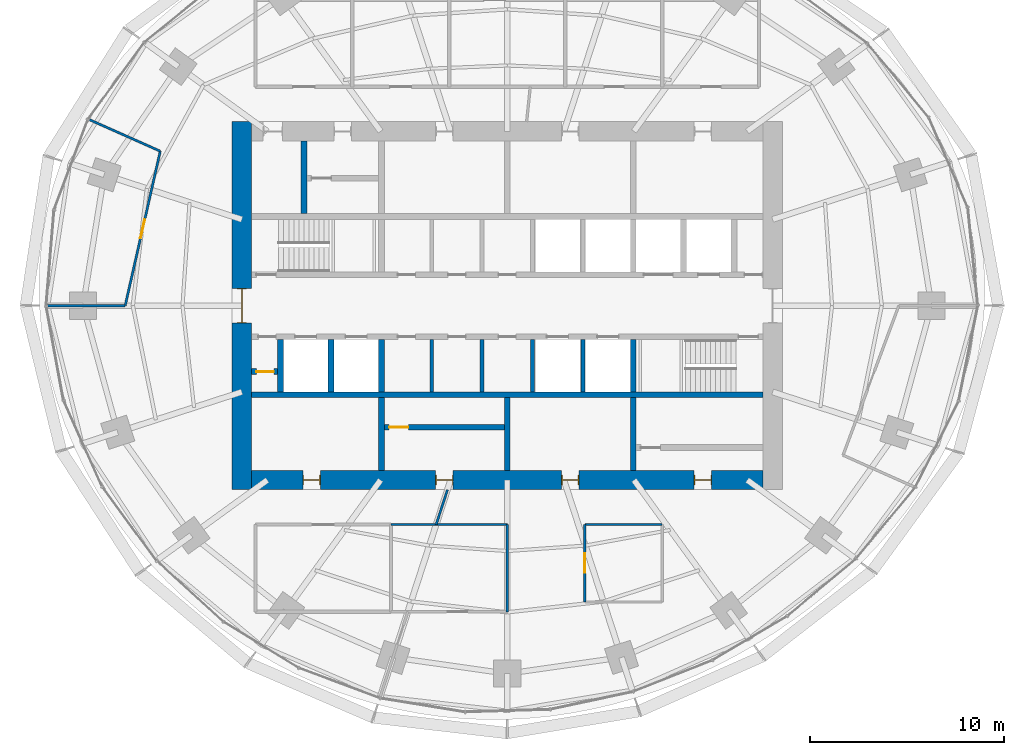
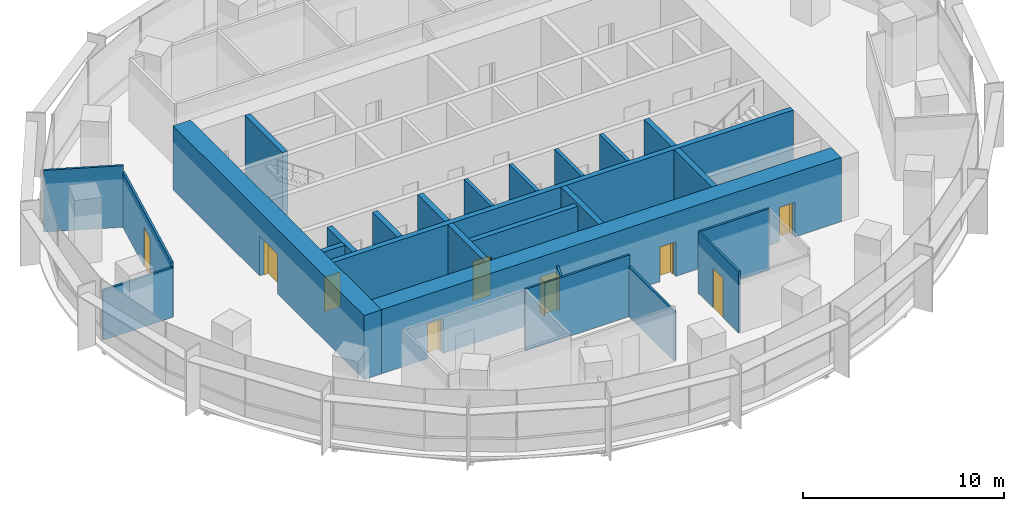
# One storey, part 10 of 14: 25 walls, 9 doors, 9 openings.
"""IFC4 building model written with IfcOpenShell, lengths in metres."""

from ifc_helpers import new_model, si_unit, direction, frame, frame_2d, origin, place, context, subcontext, project, spatial, rectangle, extrude, material, layer, layer_set, type_object, element, fill, save


model = new_model("IFC4")

# Units and contexts
model_context = context("Model", 3, precision=1e-05, world=origin(), true_north=direction((0.0, 1.0)))
body_context = subcontext(model_context, "Body", "Model", "MODEL_VIEW")
ifc_project = project(units=[si_unit("LENGTHUNIT", "METRE"), si_unit("AREAUNIT", "SQUARE_METRE"), si_unit("VOLUMEUNIT", "CUBIC_METRE"), si_unit("PLANEANGLEUNIT", "RADIAN"), si_unit("MASSUNIT", "GRAM", prefix="KILO")], contexts=[model_context])

# Site, building, storey
site_placement = place(None, origin())
site = spatial("IfcSite", under=ifc_project, at=site_placement, CompositionType="ELEMENT")
building_placement = place(site_placement, origin())
building = spatial("IfcBuilding", under=site, at=building_placement, Name="Marramba Exchange Tower", CompositionType="ELEMENT")
storey_placement = place(building_placement, frame((0.0, 0.0, 234.5)))
storey = spatial("IfcBuildingStorey", under=building, at=storey_placement, Name="L57", CompositionType="ELEMENT", Elevation=234.5)

# Walls
ifc_material_1 = material(Name="Concrete N50", Category="concrete")
ifc_layer_1 = layer(ifc_material_1, 0.199951171875)
ifc_layer_set_1 = layer_set([ifc_layer_1], Name="Core shaft wall 200")
wall_type_1 = type_object("IfcWallType", Name="Core shaft wall 200", PredefinedType="SHEAR", material=ifc_layer_set_1)
for number, where, z_axis, x_axis, name in (
    (1, (-3.89990234375, -1.75, 0.0), (0.0, 0.0, 1.0), (0.0, -1.0, 0.0), "Core wall SHS1 L57"),
    (2, (-1.300048828125, -1.75, 0.0), (0.0, 0.0, 1.0), (0.0, -1.0, 0.0), "Core wall SHS2 L57"),
    (3, (1.300048828125, -1.75, 0.0), (0.0, 0.0, 1.0), (0.0, -1.0, 0.0), "Core wall SHS3 L57"),
    (4, (3.89990234375, -1.75, 0.0), (0.0, 0.0, 1.0), (0.0, -1.0, 0.0), "Core wall SHS4 L57"),
):
    element("IfcWall", number, at=place(storey_placement, frame(where, z_axis=z_axis, x_axis=x_axis)), inside=storey, type_object=wall_type_1, Name=name, PredefinedType="SHEAR", context=body_context, shape_type="SweptSolid", body=[
        extrude(rectangle(XDim=2.699951171875, YDim=0.199951171875, at=frame_2d((1.35009765625, 0.0))), origin(), (0.0, 0.0, 1.0), 3.89990234375),
    ])

# Wall, openings, doors
ifc_layer_2 = layer(ifc_material_1, 1.0)
ifc_layer_set_2 = layer_set([ifc_layer_2], Name="Core wall 1000")
wall_type_2 = type_object("IfcWallType", Name="Core wall 1000", PredefinedType="SHEAR", material=ifc_layer_set_2)
wall_1_placement = place(storey_placement, frame((-13.199951171875, -9.0, 0.0), z_axis=(0.0, 0.0, 1.0), x_axis=(1.0, 0.0, 0.0)))
wall_1 = element("IfcWall", 5, at=wall_1_placement, inside=storey, type_object=wall_type_2, Name="Core wall S L57", PredefinedType="SHEAR", context=body_context, shape_type="SweptSolid", body=[
    extrude(rectangle(XDim=26.39990234375, YDim=1.0, at=frame_2d((13.199951171875, 0.0))), origin(), (0.0, 0.0, 1.0), 3.89990234375),
])
opening_1_placement = place(wall_1_placement, frame((2.64990234375, 0.0, 0.0)))
opening_1 = element("IfcOpeningElement", 6, at=opening_1_placement, cuts=wall_1, Name="Opening D5", PredefinedType="OPENING", context=body_context, shape_type="SweptSolid", body=[
    extrude(rectangle(XDim=0.89990234375, YDim=2.10009765625, at=frame_2d((0.449951171875, 1.050048828125))), frame((0.0, 0.510009765625, 0.0), z_axis=(0.0, -1.0, 0.0), x_axis=(1.0, 0.0, 0.0)), (0.0, 0.0, 1.0), 1.02001953125),
])
opening_2_placement = place(wall_1_placement, frame((9.5, 0.0, 0.0)))
opening_2 = element("IfcOpeningElement", 7, at=opening_2_placement, cuts=wall_1, Name="Opening D5", PredefinedType="OPENING", context=body_context, shape_type="SweptSolid", body=[
    extrude(rectangle(XDim=0.89990234375, YDim=2.10009765625, at=frame_2d((0.449951171875, 1.050048828125))), frame((0.0, 0.510009765625, 0.0), z_axis=(0.0, -1.0, 0.0), x_axis=(1.0, 0.0, 0.0)), (0.0, 0.0, 1.0), 1.02001953125),
])
opening_3_placement = place(wall_1_placement, frame((16.0, 0.0, 0.0)))
opening_3 = element("IfcOpeningElement", 8, at=opening_3_placement, cuts=wall_1, Name="Opening D5", PredefinedType="OPENING", context=body_context, shape_type="SweptSolid", body=[
    extrude(rectangle(XDim=0.89990234375, YDim=2.10009765625, at=frame_2d((0.449951171875, 1.050048828125))), frame((0.0, 0.510009765625, 0.0), z_axis=(0.0, -1.0, 0.0), x_axis=(1.0, 0.0, 0.0)), (0.0, 0.0, 1.0), 1.02001953125),
])
opening_4_placement = place(wall_1_placement, frame((22.85009765625, 0.0, 0.0)))
opening_4 = element("IfcOpeningElement", 9, at=opening_4_placement, cuts=wall_1, Name="Opening D5", PredefinedType="OPENING", context=body_context, shape_type="SweptSolid", body=[
    extrude(rectangle(XDim=0.89990234375, YDim=2.10009765625, at=frame_2d((0.449951171875, 1.050048828125))), frame((0.0, 0.510009765625, 0.0), z_axis=(0.0, -1.0, 0.0), x_axis=(1.0, 0.0, 0.0)), (0.0, 0.0, 1.0), 1.02001953125),
])
ifc_material_2 = material(Name="Steel-framed door", Category="steel")
door_type_1 = type_object("IfcDoorType", Name="Service door 900x2100", OperationType="SINGLE_SWING_LEFT", PredefinedType="DOOR", material=ifc_material_2)
door_1_placement = place(opening_1_placement, origin())
door_1 = element("IfcDoor", 10, at=door_1_placement, inside=storey, type_object=door_type_1, Name="D5 ahu L57", OperationType="SINGLE_SWING_LEFT", OverallHeight=2.10009765625, OverallWidth=0.89990234375, PredefinedType="DOOR", context=body_context, shape_type="SweptSolid", body=[
    extrude(rectangle(XDim=0.81982421875, YDim=2.06005859375, at=frame_2d((0.449951171875, 1.030029296875))), frame((0.0, 0.02490234375, 0.0), z_axis=(0.0, -1.0, 0.0), x_axis=(1.0, 0.0, 0.0)), (0.0, 0.0, 1.0), 0.050048828125),
    extrude(rectangle(XDim=0.04, YDim=2.10009765625, at=frame_2d((0.02001953125, 1.050048828125))), frame((0.0, 0.25, 0.0), z_axis=(0.0, -1.0, 0.0), x_axis=(1.0, 0.0, 0.0)), (0.0, 0.0, 1.0), 0.5),
    extrude(rectangle(XDim=0.04, YDim=2.10009765625, at=frame_2d((0.8798828125, 1.050048828125))), frame((0.0, 0.25, 0.0), z_axis=(0.0, -1.0, 0.0), x_axis=(1.0, 0.0, 0.0)), (0.0, 0.0, 1.0), 0.5),
    extrude(rectangle(XDim=0.81982421875, YDim=0.04, at=frame_2d((0.449951171875, 2.080078125))), frame((0.0, 0.25, 0.0), z_axis=(0.0, -1.0, 0.0), x_axis=(1.0, 0.0, 0.0)), (0.0, 0.0, 1.0), 0.5),
])
fill(opening_1, door_1)
door_2_placement = place(opening_2_placement, origin())
door_2 = element("IfcDoor", 11, at=door_2_placement, inside=storey, type_object=door_type_1, Name="D5 store L57", OperationType="SINGLE_SWING_RIGHT", OverallHeight=2.10009765625, OverallWidth=0.89990234375, PredefinedType="DOOR", context=body_context, shape_type="SweptSolid", body=[
    extrude(rectangle(XDim=0.81982421875, YDim=2.06005859375, at=frame_2d((0.449951171875, 1.030029296875))), frame((0.0, 0.02490234375, 0.0), z_axis=(0.0, -1.0, 0.0), x_axis=(1.0, 0.0, 0.0)), (0.0, 0.0, 1.0), 0.050048828125),
    extrude(rectangle(XDim=0.04, YDim=2.10009765625, at=frame_2d((0.02001953125, 1.050048828125))), frame((0.0, 0.25, 0.0), z_axis=(0.0, -1.0, 0.0), x_axis=(1.0, 0.0, 0.0)), (0.0, 0.0, 1.0), 0.5),
    extrude(rectangle(XDim=0.04, YDim=2.10009765625, at=frame_2d((0.8798828125, 1.050048828125))), frame((0.0, 0.25, 0.0), z_axis=(0.0, -1.0, 0.0), x_axis=(1.0, 0.0, 0.0)), (0.0, 0.0, 1.0), 0.5),
    extrude(rectangle(XDim=0.81982421875, YDim=0.04, at=frame_2d((0.449951171875, 2.080078125))), frame((0.0, 0.25, 0.0), z_axis=(0.0, -1.0, 0.0), x_axis=(1.0, 0.0, 0.0)), (0.0, 0.0, 1.0), 0.5),
])
fill(opening_2, door_2)
door_3_placement = place(opening_3_placement, origin())
door_3 = element("IfcDoor", 12, at=door_3_placement, inside=storey, type_object=door_type_1, Name="D5 switch L57", OperationType="SINGLE_SWING_RIGHT", OverallHeight=2.10009765625, OverallWidth=0.89990234375, PredefinedType="DOOR", context=body_context, shape_type="SweptSolid", body=[
    extrude(rectangle(XDim=0.81982421875, YDim=2.06005859375, at=frame_2d((0.449951171875, 1.030029296875))), frame((0.0, 0.02490234375, 0.0), z_axis=(0.0, -1.0, 0.0), x_axis=(1.0, 0.0, 0.0)), (0.0, 0.0, 1.0), 0.050048828125),
    extrude(rectangle(XDim=0.04, YDim=2.10009765625, at=frame_2d((0.02001953125, 1.050048828125))), frame((0.0, 0.25, 0.0), z_axis=(0.0, -1.0, 0.0), x_axis=(1.0, 0.0, 0.0)), (0.0, 0.0, 1.0), 0.5),
    extrude(rectangle(XDim=0.04, YDim=2.10009765625, at=frame_2d((0.8798828125, 1.050048828125))), frame((0.0, 0.25, 0.0), z_axis=(0.0, -1.0, 0.0), x_axis=(1.0, 0.0, 0.0)), (0.0, 0.0, 1.0), 0.5),
    extrude(rectangle(XDim=0.81982421875, YDim=0.04, at=frame_2d((0.449951171875, 2.080078125))), frame((0.0, 0.25, 0.0), z_axis=(0.0, -1.0, 0.0), x_axis=(1.0, 0.0, 0.0)), (0.0, 0.0, 1.0), 0.5),
])
fill(opening_3, door_3)
door_4_placement = place(opening_4_placement, origin())
door_4 = element("IfcDoor", 13, at=door_4_placement, inside=storey, type_object=door_type_1, Name="D5 cstore L57", OperationType="SINGLE_SWING_RIGHT", OverallHeight=2.10009765625, OverallWidth=0.89990234375, PredefinedType="DOOR", context=body_context, shape_type="SweptSolid", body=[
    extrude(rectangle(XDim=0.81982421875, YDim=2.06005859375, at=frame_2d((0.449951171875, 1.030029296875))), frame((0.0, 0.02490234375, 0.0), z_axis=(0.0, -1.0, 0.0), x_axis=(1.0, 0.0, 0.0)), (0.0, 0.0, 1.0), 0.050048828125),
    extrude(rectangle(XDim=0.04, YDim=2.10009765625, at=frame_2d((0.02001953125, 1.050048828125))), frame((0.0, 0.25, 0.0), z_axis=(0.0, -1.0, 0.0), x_axis=(1.0, 0.0, 0.0)), (0.0, 0.0, 1.0), 0.5),
    extrude(rectangle(XDim=0.04, YDim=2.10009765625, at=frame_2d((0.8798828125, 1.050048828125))), frame((0.0, 0.25, 0.0), z_axis=(0.0, -1.0, 0.0), x_axis=(1.0, 0.0, 0.0)), (0.0, 0.0, 1.0), 0.5),
    extrude(rectangle(XDim=0.81982421875, YDim=0.04, at=frame_2d((0.449951171875, 2.080078125))), frame((0.0, 0.25, 0.0), z_axis=(0.0, -1.0, 0.0), x_axis=(1.0, 0.0, 0.0)), (0.0, 0.0, 1.0), 0.5),
])
fill(opening_4, door_4)

# Wall, opening, door
wall_2_placement = place(storey_placement, frame((-13.699951171875, 9.5, 0.0), z_axis=(0.0, 0.0, 1.0), x_axis=(0.0, -1.0, 0.0)))
wall_2 = element("IfcWall", 14, at=wall_2_placement, inside=storey, type_object=wall_type_2, Name="Core wall W L57", PredefinedType="SHEAR", context=body_context, shape_type="SweptSolid", body=[
    extrude(rectangle(XDim=19.0, YDim=1.0, at=frame_2d((9.5, 0.0))), origin(), (0.0, 0.0, 1.0), 3.89990234375),
])
opening_5_placement = place(wall_2_placement, frame((8.60009765625, 0.0, 0.0)))
opening_5 = element("IfcOpeningElement", 15, at=opening_5_placement, cuts=wall_2, Name="Opening D1", PredefinedType="OPENING", context=body_context, shape_type="SweptSolid", body=[
    extrude(rectangle(XDim=1.800048828125, YDim=2.39990234375, at=frame_2d((0.89990234375, 1.199951171875))), frame((0.0, 0.510009765625, 0.0), z_axis=(0.0, -1.0, 0.0), x_axis=(1.0, 0.0, 0.0)), (0.0, 0.0, 1.0), 1.02001953125),
])
door_type_2 = type_object("IfcDoorType", Name="Lobby exit door 1800x2400", OperationType="DOUBLE_DOOR_SINGLE_SWING", PredefinedType="DOOR", material=ifc_material_2)
door_5_placement = place(opening_5_placement, origin())
door_5 = element("IfcDoor", 16, at=door_5_placement, inside=storey, type_object=door_type_2, Name="D1 lobby exit west L57", OperationType="DOUBLE_DOOR_SINGLE_SWING", OverallHeight=2.39990234375, OverallWidth=1.800048828125, PredefinedType="DOOR", context=body_context, shape_type="SweptSolid", body=[
    extrude(rectangle(XDim=1.719970703125, YDim=2.35986328125, at=frame_2d((0.89990234375, 1.179931640625))), frame((0.0, 0.02490234375, 0.0), z_axis=(0.0, -1.0, 0.0), x_axis=(1.0, 0.0, 0.0)), (0.0, 0.0, 1.0), 0.050048828125),
    extrude(rectangle(XDim=0.04, YDim=2.39990234375, at=frame_2d((0.02001953125, 1.199951171875))), frame((0.0, 0.25, 0.0), z_axis=(0.0, -1.0, 0.0), x_axis=(1.0, 0.0, 0.0)), (0.0, 0.0, 1.0), 0.5),
    extrude(rectangle(XDim=0.04, YDim=2.39990234375, at=frame_2d((1.780029296875, 1.199951171875))), frame((0.0, 0.25, 0.0), z_axis=(0.0, -1.0, 0.0), x_axis=(1.0, 0.0, 0.0)), (0.0, 0.0, 1.0), 0.5),
    extrude(rectangle(XDim=1.719970703125, YDim=0.04, at=frame_2d((0.89990234375, 2.3798828125))), frame((0.0, 0.25, 0.0), z_axis=(0.0, -1.0, 0.0), x_axis=(1.0, 0.0, 0.0)), (0.0, 0.0, 1.0), 0.5),
])
fill(opening_5, door_5)

# Walls
ifc_layer_3 = layer(ifc_material_1, 0.300048828125)
ifc_layer_set_3 = layer_set([ifc_layer_3], Name="Core wall 300")
wall_type_3 = type_object("IfcWallType", Name="Core wall 300", PredefinedType="SHEAR", material=ifc_layer_set_3)
wall_3_placement = place(storey_placement, frame((-13.199951171875, -4.60009765625, 0.0), z_axis=(0.0, 0.0, 1.0), x_axis=(1.0, 0.0, 0.0)))
element("IfcWall", 17, at=wall_3_placement, inside=storey, type_object=wall_type_3, Name="Core wall BS L57", PredefinedType="SHEAR", context=body_context, shape_type="SweptSolid", body=[
    extrude(rectangle(XDim=26.39990234375, YDim=0.300048828125, at=frame_2d((13.199951171875, 0.0))), origin(), (0.0, 0.0, 1.0), 3.89990234375),
])
wall_4_placement = place(storey_placement, frame((-6.5, -1.75, 0.0), z_axis=(0.0, 0.0, 1.0), x_axis=(0.0, -1.0, 0.0)))
element("IfcWall", 18, at=wall_4_placement, inside=storey, type_object=wall_type_3, Name="Core wall X0Sa L57", PredefinedType="SHEAR", context=body_context, shape_type="SweptSolid", body=[
    extrude(rectangle(XDim=2.699951171875, YDim=0.300048828125, at=frame_2d((1.35009765625, 0.0))), origin(), (0.0, 0.0, 1.0), 3.89990234375),
])
wall_5_placement = place(storey_placement, frame((-6.5, -4.75, 0.0), z_axis=(0.0, 0.0, 1.0), x_axis=(0.0, -1.0, 0.0)))
element("IfcWall", 19, at=wall_5_placement, inside=storey, type_object=wall_type_3, Name="Core wall X0Sb L57", PredefinedType="SHEAR", context=body_context, shape_type="SweptSolid", body=[
    extrude(rectangle(XDim=3.75, YDim=0.300048828125, at=frame_2d((1.875, 0.0))), origin(), (0.0, 0.0, 1.0), 3.89990234375),
])
wall_6_placement = place(storey_placement, frame((6.5, -1.75, 0.0), z_axis=(0.0, 0.0, 1.0), x_axis=(0.0, -1.0, 0.0)))
element("IfcWall", 20, at=wall_6_placement, inside=storey, type_object=wall_type_3, Name="Core wall X1Sa L57", PredefinedType="SHEAR", context=body_context, shape_type="SweptSolid", body=[
    extrude(rectangle(XDim=2.699951171875, YDim=0.300048828125, at=frame_2d((1.35009765625, 0.0))), origin(), (0.0, 0.0, 1.0), 3.89990234375),
])
for number, where, z_axis, x_axis, name in (
    (21, (6.5, -4.75, 0.0), (0.0, 0.0, 1.0), (0.0, -1.0, 0.0), "Core wall X1Sb L57"),
    (22, (0.0, -4.75, 0.0), (0.0, 0.0, 1.0), (0.0, -1.0, 0.0), "Core wall MS L57"),
    (23, (-10.5, 4.75, 0.0), (0.0, 0.0, 1.0), (0.0, 1.0, 0.0), "Core wall WD L57"),
):
    element("IfcWall", number, at=place(storey_placement, frame(where, z_axis=z_axis, x_axis=x_axis)), inside=storey, type_object=wall_type_3, Name=name, PredefinedType="SHEAR", context=body_context, shape_type="SweptSolid", body=[
        extrude(rectangle(XDim=3.75, YDim=0.300048828125, at=frame_2d((1.875, 0.0))), origin(), (0.0, 0.0, 1.0), 3.89990234375),
    ])
ifc_material_3 = material(Name="Core-filled concrete blockwork", Category="masonry")
ifc_layer_4 = layer(ifc_material_3, 0.300048828125)
ifc_layer_set_4 = layer_set([ifc_layer_4], Name="Lift shaft wall 300")
wall_type_4 = type_object("IfcWallType", Name="Lift shaft wall 300", PredefinedType="SOLIDWALL", material=ifc_layer_set_4)
for number, where, z_axis, x_axis, name in (
    (24, (-9.10009765625, -1.75, 0.0), (0.0, 0.0, 1.0), (0.0, -1.0, 0.0), "Lift shaft wall W1 L57"),
    (25, (-11.699951171875, -1.75, 0.0), (0.0, 0.0, 1.0), (0.0, -1.0, 0.0), "Lift shaft wall W2 L57"),
):
    element("IfcWall", number, at=place(storey_placement, frame(where, z_axis=z_axis, x_axis=x_axis)), inside=storey, type_object=wall_type_4, Name=name, PredefinedType="SOLIDWALL", context=body_context, shape_type="SweptSolid", body=[
        extrude(rectangle(XDim=2.699951171875, YDim=0.300048828125, at=frame_2d((1.35009765625, 0.0))), origin(), (0.0, 0.0, 1.0), 3.739990234375),
    ])
ifc_material_4 = material(Name="Plasterboard on steel studs", Category="steel")
ifc_layer_5 = layer(ifc_material_4, 0.1201171875)
ifc_layer_set_5 = layer_set([ifc_layer_5], Name="Partition 120")
wall_type_5 = type_object("IfcWallType", Name="Partition 120", PredefinedType="PARTITIONING", material=ifc_layer_set_5)
wall_7_placement = place(storey_placement, frame((-3.671630859375, -11.300048828125, 0.0), z_axis=(0.0, 0.0, 1.0), x_axis=(0.309059822154, 0.95104259964, 0.0)))
element("IfcWall", 26, at=wall_7_placement, inside=storey, type_object=wall_type_5, Name="Partition L57 06", PredefinedType="PARTITIONING", context=body_context, shape_type="SweptSolid", body=[
    extrude(rectangle(XDim=1.892822265625, YDim=0.1201171875, at=frame_2d((0.9462890625, 0.0))), origin(), (0.0, 0.0, 1.0), 3.0400390625),
])
wall_8_placement = place(storey_placement, frame((0.0, -11.300048828125, 0.0), z_axis=(0.0, 0.0, 1.0), x_axis=(-1.0, 0.0, 0.0)))
element("IfcWall", 27, at=wall_8_placement, inside=storey, type_object=wall_type_5, Name="Partition L57 07", PredefinedType="PARTITIONING", context=body_context, shape_type="SweptSolid", body=[
    extrude(rectangle(XDim=6.0, YDim=0.1201171875, at=frame_2d((3.0, 0.0))), origin(), (0.0, 0.0, 1.0), 3.739990234375),
])
wall_9_placement = place(storey_placement, frame((0.0, -15.800048828125, 0.0), z_axis=(0.0, 0.0, 1.0), x_axis=(0.0, 1.0, 0.0)))
element("IfcWall", 28, at=wall_9_placement, inside=storey, type_object=wall_type_5, Name="Partition L57 09", PredefinedType="PARTITIONING", context=body_context, shape_type="SweptSolid", body=[
    extrude(rectangle(XDim=4.5, YDim=0.1201171875, at=frame_2d((2.25, 0.0))), origin(), (0.0, 0.0, 1.0), 3.0400390625),
])

# Wall, opening, door
wall_10_placement = place(storey_placement, frame((4.0, -15.300048828125, 0.0), z_axis=(0.0, 0.0, 1.0), x_axis=(0.0, 1.0, 0.0)))
wall_10 = element("IfcWall", 29, at=wall_10_placement, inside=storey, type_object=wall_type_5, Name="Partition L57 10", PredefinedType="PARTITIONING", context=body_context, shape_type="SweptSolid", body=[
    extrude(rectangle(XDim=4.0, YDim=0.1201171875, at=frame_2d((2.0, 0.0))), origin(), (0.0, 0.0, 1.0), 3.739990234375),
])
opening_6_placement = place(wall_10_placement, frame((1.52587890625, 0.0, 0.0)))
opening_6 = element("IfcOpeningElement", 30, at=opening_6_placement, cuts=wall_10, Name="Opening D9", PredefinedType="OPENING", context=body_context, shape_type="SweptSolid", body=[
    extrude(rectangle(XDim=1.0, YDim=2.39990234375, at=frame_2d((0.5, 1.199951171875))), frame((0.0, 0.070068359375, 0.0), z_axis=(0.0, -1.0, 0.0), x_axis=(1.0, 0.0, 0.0)), (0.0, 0.0, 1.0), 0.14013671875),
])
ifc_material_5 = material(Name="Timber door", Category="wood")
door_type_3 = type_object("IfcDoorType", Name="Room door 1000x2400", OperationType="SINGLE_SWING_LEFT", PredefinedType="DOOR", material=ifc_material_5)
door_6_placement = place(opening_6_placement, frame((1.0, 0.0, 0.0), z_axis=(0.0, 0.0, 1.0), x_axis=(-1.0, 0.0, 0.0)))
door_6 = element("IfcDoor", 31, at=door_6_placement, inside=storey, type_object=door_type_3, Name="D9 Print Room L57", OperationType="SINGLE_SWING_LEFT", OverallHeight=2.39990234375, OverallWidth=1.0, PredefinedType="DOOR", context=body_context, shape_type="SweptSolid", body=[
    extrude(rectangle(XDim=1.0, YDim=2.39990234375, at=frame_2d((0.5, 1.199951171875))), frame((0.0, 0.025146484375, 0.0), z_axis=(0.0, -1.0, 0.0), x_axis=(1.0, 0.0, 0.0)), (0.0, 0.0, 1.0), 0.050048828125),
])
fill(opening_6, door_6)

# Walls
for number, where, z_axis, x_axis, name in (
    (32, (4.0, -11.300048828125, 0.0), (0.0, 0.0, 1.0), (1.0, 0.0, 0.0), "Partition L57 12"),
    (33, (-17.914794921875, 7.976318359375, 0.0), (0.0, 0.0, 1.0), (-0.913549606868, 0.406727323635, 0.0), "Partition L57 27"),
):
    element("IfcWall", number, at=place(storey_placement, frame(where, z_axis=z_axis, x_axis=x_axis)), inside=storey, type_object=wall_type_5, Name=name, PredefinedType="PARTITIONING", context=body_context, shape_type="SweptSolid", body=[
        extrude(rectangle(XDim=4.0, YDim=0.1201171875, at=frame_2d((2.0, 0.0))), origin(), (0.0, 0.0, 1.0), 3.739990234375),
    ])

# Wall, opening, door
wall_11_placement = place(storey_placement, frame((-19.72607421875, 0.0, 0.0), z_axis=(0.0, 0.0, 1.0), x_axis=(0.221444355936, 0.975173008868, 0.0)))
wall_11 = element("IfcWall", 34, at=wall_11_placement, inside=storey, type_object=wall_type_5, Name="Partition L57 28", PredefinedType="PARTITIONING", context=body_context, shape_type="SweptSolid", body=[
    extrude(rectangle(XDim=8.179443359375, YDim=0.1201171875, at=frame_2d((4.08984375, 0.0))), origin(), (0.0, 0.0, 1.0), 3.333984375),
])
opening_7_placement = place(wall_11_placement, frame((3.56494140625, 0.0, 0.0)))
opening_7 = element("IfcOpeningElement", 35, at=opening_7_placement, cuts=wall_11, Name="Opening D9", PredefinedType="OPENING", context=body_context, shape_type="SweptSolid", body=[
    extrude(rectangle(XDim=1.0, YDim=2.39990234375, at=frame_2d((0.5, 1.199951171875))), frame((0.0, 0.070068359375, 0.0), z_axis=(0.0, -1.0, 0.0), x_axis=(1.0, 0.0, 0.0)), (0.0, 0.0, 1.0), 0.14013671875),
])
door_7_placement = place(opening_7_placement, origin())
door_7 = element("IfcDoor", 36, at=door_7_placement, inside=storey, type_object=door_type_3, Name="D9 Office 2 L57", OperationType="SINGLE_SWING_RIGHT", OverallHeight=2.39990234375, OverallWidth=1.0, PredefinedType="DOOR", context=body_context, shape_type="SweptSolid", body=[
    extrude(rectangle(XDim=1.0, YDim=2.39990234375, at=frame_2d((0.5, 1.199951171875))), frame((0.0, 0.02490234375, 0.0), z_axis=(0.0, -1.0, 0.0), x_axis=(1.0, 0.0, 0.0)), (0.0, 0.0, 1.0), 0.050048828125),
])
fill(opening_7, door_7)

# Wall
wall_12_placement = place(storey_placement, frame((-23.72607421875, 0.0, 0.0), z_axis=(0.0, 0.0, 1.0), x_axis=(1.0, 0.0, 0.0)))
element("IfcWall", 37, at=wall_12_placement, inside=storey, type_object=wall_type_5, Name="Partition L57 29", PredefinedType="PARTITIONING", context=body_context, shape_type="SweptSolid", body=[
    extrude(rectangle(XDim=4.0, YDim=0.1201171875, at=frame_2d((2.0, 0.0))), origin(), (0.0, 0.0, 1.0), 3.0400390625),
])

# Wall, opening, door
ifc_layer_6 = layer(ifc_material_3, 0.300048828125)
ifc_layer_set_6 = layer_set([ifc_layer_6], Name="Riser enclosure wall 300")
wall_type_6 = type_object("IfcWallType", Name="Riser enclosure wall 300", PredefinedType="SOLIDWALL", material=ifc_layer_set_6)
wall_13_placement = place(storey_placement, frame((-13.199951171875, -3.39990234375, 0.0), z_axis=(0.0, 0.0, 1.0), x_axis=(1.0, 0.0, 0.0)))
wall_13 = element("IfcWall", 38, at=wall_13_placement, inside=storey, type_object=wall_type_6, Name="Riser enclosure wall L57", PredefinedType="SOLIDWALL", context=body_context, shape_type="SweptSolid", body=[
    extrude(rectangle(XDim=1.349853515625, YDim=0.300048828125, at=frame_2d((0.6748046875, 0.0))), origin(), (0.0, 0.0, 1.0), 3.739990234375),
])
opening_8_placement = place(wall_13_placement, frame((0.25, 0.0, 0.0)))
opening_8 = element("IfcOpeningElement", 39, at=opening_8_placement, cuts=wall_13, Name="Opening D5", PredefinedType="OPENING", context=body_context, shape_type="SweptSolid", body=[
    extrude(rectangle(XDim=0.89990234375, YDim=2.10009765625, at=frame_2d((0.449951171875, 1.050048828125))), frame((0.0, 0.159912109375, 0.0), z_axis=(0.0, -1.0, 0.0), x_axis=(1.0, 0.0, 0.0)), (0.0, 0.0, 1.0), 0.320068359375),
])
door_8_placement = place(opening_8_placement, frame((0.89990234375, 0.0, 0.0), z_axis=(0.0, 0.0, 1.0), x_axis=(-1.0, 0.0, 0.0)))
door_8 = element("IfcDoor", 40, at=door_8_placement, inside=storey, type_object=door_type_1, Name="D5 electrical riser back L57", OperationType="SINGLE_SWING_LEFT", OverallHeight=2.10009765625, OverallWidth=0.89990234375, PredefinedType="DOOR", context=body_context, shape_type="SweptSolid", body=[
    extrude(rectangle(XDim=0.89990234375, YDim=2.10009765625, at=frame_2d((0.449951171875, 1.050048828125))), frame((0.0, 0.025146484375, 0.0), z_axis=(0.0, -1.0, 0.0), x_axis=(1.0, 0.0, 0.0)), (0.0, 0.0, 1.0), 0.050048828125),
])
fill(opening_8, door_8)

ifc_material_6 = material(Name="Plasterboard on steel studs, insulated, unrated", Category="steel")
ifc_layer_7 = layer(ifc_material_6, 0.300048828125)
ifc_layer_set_7 = layer_set([ifc_layer_7], Name="Store partition 300")
wall_type_7 = type_object("IfcWallType", Name="Store partition 300", PredefinedType="PARTITIONING", material=ifc_layer_set_7)
wall_14_placement = place(storey_placement, frame((-6.35009765625, -6.27197265625, 0.0), z_axis=(0.0, 0.0, 1.0), x_axis=(1.0, 0.0, 0.0)))
wall_14 = element("IfcWall", 41, at=wall_14_placement, inside=storey, type_object=wall_type_7, Name="Store partition L57 store", PredefinedType="PARTITIONING", context=body_context, shape_type="SweptSolid", body=[
    extrude(rectangle(XDim=6.2001953125, YDim=0.300048828125, at=frame_2d((3.10009765625, 0.0))), origin(), (0.0, 0.0, 1.0), 3.739990234375),
])
opening_9_placement = place(wall_14_placement, frame((0.25, 0.0, 0.0)))
opening_9 = element("IfcOpeningElement", 42, at=opening_9_placement, cuts=wall_14, Name="Opening D9", PredefinedType="OPENING", context=body_context, shape_type="SweptSolid", body=[
    extrude(rectangle(XDim=1.0, YDim=2.39990234375, at=frame_2d((0.5, 1.199951171875))), frame((0.0, 0.159912109375, 0.0), z_axis=(0.0, -1.0, 0.0), x_axis=(1.0, 0.0, 0.0)), (0.0, 0.0, 1.0), 0.320068359375),
])
door_9_placement = place(opening_9_placement, origin())
door_9 = element("IfcDoor", 43, at=door_9_placement, inside=storey, type_object=door_type_3, Name="D9 stationery store L57", OperationType="SINGLE_SWING_LEFT", OverallHeight=2.39990234375, OverallWidth=1.0, PredefinedType="DOOR", context=body_context, shape_type="SweptSolid", body=[
    extrude(rectangle(XDim=1.0, YDim=2.39990234375, at=frame_2d((0.5, 1.199951171875))), frame((0.0, 0.02490234375, 0.0), z_axis=(0.0, -1.0, 0.0), x_axis=(1.0, 0.0, 0.0)), (0.0, 0.0, 1.0), 0.050048828125),
])
fill(opening_9, door_9)

save(model, "model.ifc")
